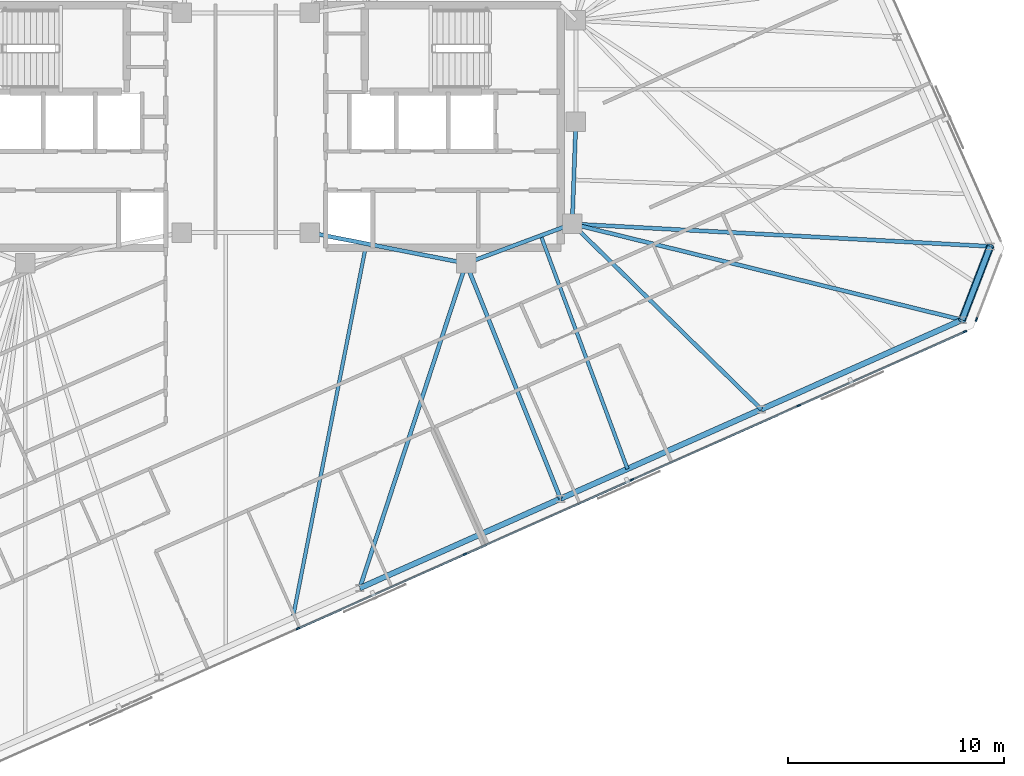
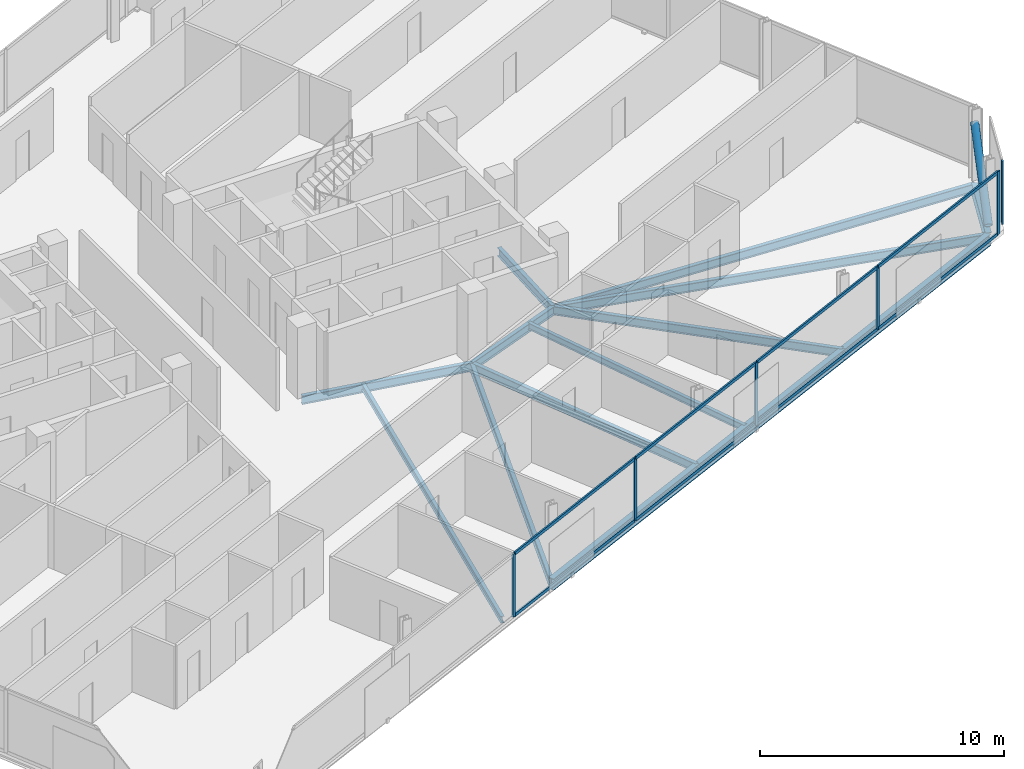
# One storey, part 7 of 19: 15 members, 14 beams, 2 elements without a shape of their own.
"""IFC4 building model written with IfcOpenShell, lengths in metres."""

from ifc_helpers import new_model, si_unit, direction, frame, origin, origin_2d, place, context, subcontext, project, spatial, rectangle, hollow_circle, i_section, extrude, material, material_profile, profile_set, type_object, element, aggregate, save


model = new_model("IFC4")

# Units and contexts
model_context = context("Model", 3, precision=1e-05, world=origin(), true_north=direction((0.0, 1.0)))
body_context = subcontext(model_context, "Body", "Model", "MODEL_VIEW")
ifc_project = project(units=[si_unit("LENGTHUNIT", "METRE"), si_unit("AREAUNIT", "SQUARE_METRE"), si_unit("VOLUMEUNIT", "CUBIC_METRE"), si_unit("PLANEANGLEUNIT", "RADIAN"), si_unit("MASSUNIT", "GRAM", prefix="KILO")], contexts=[model_context])

# Site, building, storey
site_placement = place(None, origin())
site = spatial("IfcSite", under=ifc_project, at=site_placement, CompositionType="ELEMENT")
building_placement = place(site_placement, origin())
building = spatial("IfcBuilding", under=site, at=building_placement, Name="Menara Jurai Vektor", CompositionType="ELEMENT")
storey_placement = place(building_placement, frame((0.0, 0.0, 302.0)))
storey = spatial("IfcBuildingStorey", under=building, at=storey_placement, Name="L81", CompositionType="ELEMENT", Elevation=302.0)

# Curtain wall, members
ifc_material_1 = material(Name="Anodised Pale Aluminium & Low-E Double Glazing", Category="aluminium")
curtain_wall_type = type_object("IfcCurtainWallType", Name="CW-BLK5", PredefinedType="NOTDEFINED", material=ifc_material_1)
curtain_wall_1_placement = place(storey_placement, origin())
curtain_wall_1 = element("IfcCurtainWall", 1, at=curtain_wall_1_placement, inside=storey, type_object=curtain_wall_type, Name="Unitised Curtain Wall L81 F01", PredefinedType="NOTDEFINED")
ifc_material_2 = material(Name="Anodised Pale Aluminium Mullion", Category="aluminium")
ifc_material_profile_1 = material_profile(ifc_material_2, rectangle(XDim=0.074951171875, YDim=0.175048828125, at=origin_2d()), Name="ALU MUL 75x175")
ifc_profile_set_1 = profile_set([ifc_material_profile_1], Name="Anodised Pale Aluminium Mullion")
member_type_1 = type_object("IfcMemberType", Name="CW-BLK5-MUL", PredefinedType="MULLION", material=ifc_profile_set_1)
member_1_placement = place(storey_placement, frame((2.417724609375, -23.190185546875, 0.0), z_axis=(0.0, 0.0, 1.0), x_axis=(-0.406735498684, 0.913545967158, 0.0)))
member_1 = element("IfcMember", 2, at=member_1_placement, type_object=member_type_1, Name="CW-05 mullion 3", PredefinedType="MULLION", context=body_context, shape_type="SweptSolid", body=[
    extrude(rectangle(XDim=0.074951171875, YDim=0.175048828125, at=origin_2d()), origin(), (0.0, 0.0, 1.0), 3.14501953125),
])
member_2_placement = place(storey_placement, frame((10.1279296875, -19.75732421875, 0.0), z_axis=(0.0, 0.0, 1.0), x_axis=(-0.406735498684, 0.913545967158, 0.0)))
member_2 = element("IfcMember", 3, at=member_2_placement, type_object=member_type_1, Name="CW-05 mullion 4", PredefinedType="MULLION", context=body_context, shape_type="SweptSolid", body=[
    extrude(rectangle(XDim=0.074951171875, YDim=0.175048828125, at=origin_2d()), origin(), (0.0, 0.0, 1.0), 3.14501953125),
])
member_3_placement = place(storey_placement, frame((17.83837890625, -16.324462890625, 0.0), z_axis=(0.0, 0.0, 1.0), x_axis=(-0.406735498684, 0.913545967158, 0.0)))
member_3 = element("IfcMember", 4, at=member_3_placement, type_object=member_type_1, Name="CW-05 mullion 5", PredefinedType="MULLION", context=body_context, shape_type="SweptSolid", body=[
    extrude(rectangle(XDim=0.074951171875, YDim=0.175048828125, at=origin_2d()), origin(), (0.0, 0.0, 1.0), 3.14501953125),
])
member_4_placement = place(storey_placement, frame((25.548583984375, -12.8916015625, 0.0), z_axis=(0.0, 0.0, 1.0), x_axis=(-0.406735498684, 0.913545967158, 0.0)))
member_4 = element("IfcMember", 5, at=member_4_placement, type_object=member_type_1, Name="CW-05 mullion 6", PredefinedType="MULLION", context=body_context, shape_type="SweptSolid", body=[
    extrude(rectangle(XDim=0.074951171875, YDim=0.175048828125, at=origin_2d()), origin(), (0.0, 0.0, 1.0), 3.14501953125),
])
member_5_placement = place(storey_placement, frame((33.224853515625, -9.47412109375, 0.0), z_axis=(0.0, 0.0, 1.0), x_axis=(-0.406735498684, 0.913545967158, 0.0)))
member_5 = element("IfcMember", 6, at=member_5_placement, type_object=member_type_1, Name="CW-05 mullion 7", PredefinedType="MULLION", context=body_context, shape_type="SweptSolid", body=[
    extrude(rectangle(XDim=0.074951171875, YDim=0.175048828125, at=origin_2d()), origin(), (0.0, 0.0, 1.0), 3.14501953125),
])

# Curtain wall, member
curtain_wall_2_placement = place(storey_placement, origin())
curtain_wall_2 = element("IfcCurtainWall", 7, at=curtain_wall_2_placement, inside=storey, type_object=curtain_wall_type, Name="Unitised Curtain Wall L81 F02", PredefinedType="NOTDEFINED")
member_6_placement = place(storey_placement, frame((33.755859375, -8.914306640625, 0.0), z_axis=(0.0, 0.0, 1.0), x_axis=(-0.933578193639, 0.358373766287, 0.0)))
member_6 = element("IfcMember", 8, at=member_6_placement, type_object=member_type_1, Name="CW-05 mullion 1", PredefinedType="MULLION", context=body_context, shape_type="SweptSolid", body=[
    extrude(rectangle(XDim=0.074951171875, YDim=0.175048828125, at=origin_2d()), origin(), (0.0, 0.0, 1.0), 3.14501953125),
])
aggregate(curtain_wall_2, [member_6])

# Member
ifc_material_3 = material(Name="Anodised Pale Aluminium Transom", Category="aluminium")
ifc_material_profile_2 = material_profile(ifc_material_3, rectangle(XDim=0.074951171875, YDim=0.155029296875, at=origin_2d()), Name="ALU TRN 75x155")
ifc_profile_set_2 = profile_set([ifc_material_profile_2], Name="Anodised Pale Aluminium Transom")
member_type_2 = type_object("IfcMemberType", Name="CW-BLK5-TRN", PredefinedType="USERDEFINED", material=ifc_profile_set_2)
member_7_placement = place(storey_placement, frame((2.451904296875, -23.175048828125, 0.03759765625), z_axis=(0.913546575494, 0.406734132331, 0.0), x_axis=(-0.406734132331, 0.913546575494, 0.0)))
member_7 = element("IfcMember", 9, at=member_7_placement, type_object=member_type_2, Name="CW-05 transom 3.1", ObjectType="TRANSOM", PredefinedType="USERDEFINED", context=body_context, shape_type="SweptSolid", body=[
    extrude(rectangle(XDim=0.074951171875, YDim=0.155029296875, at=origin_2d()), origin(), (0.0, 0.0, 1.0), 8.364990234375),
])

member_8_placement = place(storey_placement, frame((2.451904296875, -23.175048828125, 3.107421875), z_axis=(0.913546575494, 0.406734132331, 0.0), x_axis=(-0.406734132331, 0.913546575494, 0.0)))
member_8 = element("IfcMember", 10, at=member_8_placement, type_object=member_type_2, Name="CW-05 transom 3.2", ObjectType="TRANSOM", PredefinedType="USERDEFINED", context=body_context, shape_type="SweptSolid", body=[
    extrude(rectangle(XDim=0.074951171875, YDim=0.155029296875, at=origin_2d()), origin(), (0.0, 0.0, 1.0), 8.364990234375),
])

member_9_placement = place(storey_placement, frame((10.162353515625, -19.7421875, 0.03759765625), z_axis=(0.913541747007, 0.406744977198, 0.0), x_axis=(-0.406744977198, 0.913541747007, 0.0)))
member_9 = element("IfcMember", 11, at=member_9_placement, type_object=member_type_2, Name="CW-05 transom 4.1", ObjectType="TRANSOM", PredefinedType="USERDEFINED", context=body_context, shape_type="SweptSolid", body=[
    extrude(rectangle(XDim=0.074951171875, YDim=0.155029296875, at=origin_2d()), origin(), (0.0, 0.0, 1.0), 8.36474609375),
])

member_10_placement = place(storey_placement, frame((10.162353515625, -19.7421875, 3.107421875), z_axis=(0.913541747007, 0.406744977198, 0.0), x_axis=(-0.406744977198, 0.913541747007, 0.0)))
member_10 = element("IfcMember", 12, at=member_10_placement, type_object=member_type_2, Name="CW-05 transom 4.2", ObjectType="TRANSOM", PredefinedType="USERDEFINED", context=body_context, shape_type="SweptSolid", body=[
    extrude(rectangle(XDim=0.074951171875, YDim=0.155029296875, at=origin_2d()), origin(), (0.0, 0.0, 1.0), 8.36474609375),
])

member_11_placement = place(storey_placement, frame((17.87255859375, -16.309326171875, 0.03759765625), z_axis=(0.913546575494, 0.406734132331, 0.0), x_axis=(-0.406734132331, 0.913546575494, 0.0)))
member_11 = element("IfcMember", 13, at=member_11_placement, type_object=member_type_2, Name="CW-05 transom 5.1", ObjectType="TRANSOM", PredefinedType="USERDEFINED", context=body_context, shape_type="SweptSolid", body=[
    extrude(rectangle(XDim=0.074951171875, YDim=0.155029296875, at=origin_2d()), origin(), (0.0, 0.0, 1.0), 8.364990234375),
])

member_12_placement = place(storey_placement, frame((17.87255859375, -16.309326171875, 3.107421875), z_axis=(0.913546575494, 0.406734132331, 0.0), x_axis=(-0.406734132331, 0.913546575494, 0.0)))
member_12 = element("IfcMember", 14, at=member_12_placement, type_object=member_type_2, Name="CW-05 transom 5.2", ObjectType="TRANSOM", PredefinedType="USERDEFINED", context=body_context, shape_type="SweptSolid", body=[
    extrude(rectangle(XDim=0.074951171875, YDim=0.155029296875, at=origin_2d()), origin(), (0.0, 0.0, 1.0), 8.364990234375),
])

member_13_placement = place(storey_placement, frame((25.5830078125, -12.87646484375, 0.03759765625), z_axis=(0.91353811338, 0.406753138159, 0.0), x_axis=(-0.406753138159, 0.91353811338, 0.0)))
member_13 = element("IfcMember", 15, at=member_13_placement, type_object=member_type_2, Name="CW-05 transom 6.1", ObjectType="TRANSOM", PredefinedType="USERDEFINED", context=body_context, shape_type="SweptSolid", body=[
    extrude(rectangle(XDim=0.074951171875, YDim=0.155029296875, at=origin_2d()), origin(), (0.0, 0.0, 1.0), 8.327392578125),
])

member_14_placement = place(storey_placement, frame((25.5830078125, -12.87646484375, 3.107421875), z_axis=(0.91353811338, 0.406753138159, 0.0), x_axis=(-0.406753138159, 0.91353811338, 0.0)))
member_14 = element("IfcMember", 16, at=member_14_placement, type_object=member_type_2, Name="CW-05 transom 6.2", ObjectType="TRANSOM", PredefinedType="USERDEFINED", context=body_context, shape_type="SweptSolid", body=[
    extrude(rectangle(XDim=0.074951171875, YDim=0.155029296875, at=origin_2d()), origin(), (0.0, 0.0, 1.0), 8.327392578125),
])

aggregate(curtain_wall_1, [member_1, member_2, member_3, member_4, member_5, member_7, member_8, member_9, member_10, member_11, member_12, member_13, member_14])

# Beams
ifc_material_4 = material(Name="Steel S355", Category="steel")
ifc_material_profile_3 = material_profile(ifc_material_4, i_section(OverallWidth=0.18505859375, OverallDepth=0.429931640625, WebThickness=0.010986328125, FlangeThickness=0.01806640625, at=origin_2d()), Name="PG 430x185x76")
ifc_profile_set_3 = profile_set([ifc_material_profile_3], Name="Steel S355")
beam_type_1 = type_object("IfcBeamType", Name="STR-BM-430", PredefinedType="BEAM", material=ifc_profile_set_3)
beam_1_placement = place(storey_placement, frame((15.080078125, -4.5, -0.43994140625), z_axis=(0.035977314146, 0.999352606874, 0.0), x_axis=(-0.999352606874, 0.035977314146, 0.0)))
element("IfcBeam", 17, at=beam_1_placement, inside=storey, type_object=beam_type_1, Name="Core Ring Header Girder L81-CHE-E2", PredefinedType="BEAM", context=body_context, shape_type="SweptSolid", body=[
    extrude(i_section(OverallWidth=0.18505859375, OverallDepth=0.429931640625, WebThickness=0.010986328125, FlangeThickness=0.01806640625, at=origin_2d()), origin(), (0.0, 0.0, 1.0), 4.72314453125),
])
beam_2_placement = place(storey_placement, frame((10.179931640625, -6.320068359375, -0.43994140625), z_axis=(0.937424400887, 0.348188874925, 0.0), x_axis=(-0.348188874925, 0.937424400887, 0.0)))
element("IfcBeam", 18, at=beam_2_placement, inside=storey, type_object=beam_type_1, Name="Core Ring Header Girder L81-CHE-S1", PredefinedType="BEAM", context=body_context, shape_type="SweptSolid", body=[
    extrude(i_section(OverallWidth=0.18505859375, OverallDepth=0.429931640625, WebThickness=0.010986328125, FlangeThickness=0.01806640625, at=origin_2d()), origin(), (0.0, 0.0, 1.0), 5.227294921875),
])
beam_3_placement = place(storey_placement, frame((2.949951171875, -4.89990234375, -0.43994140625), z_axis=(0.981249044334, -0.192744164614, 0.0), x_axis=(0.192744164614, 0.981249044334, 0.0)))
element("IfcBeam", 19, at=beam_3_placement, inside=storey, type_object=beam_type_1, Name="Core Ring Header Girder L81-CHE-S2", PredefinedType="BEAM", context=body_context, shape_type="SweptSolid", body=[
    extrude(i_section(OverallWidth=0.18505859375, OverallDepth=0.429931640625, WebThickness=0.010986328125, FlangeThickness=0.01806640625, at=origin_2d()), origin(), (0.0, 0.0, 1.0), 7.3681640625),
])
beam_4_placement = place(storey_placement, frame((5.267578125, -21.3193359375, -0.43994140625), z_axis=(0.311239486704, 0.950331511587, 0.0), x_axis=(-0.950331511587, 0.311239486704, 0.0)))
element("IfcBeam", 20, at=beam_4_placement, inside=storey, type_object=beam_type_1, Name="Radial Floor Girder L81-S3", PredefinedType="BEAM", context=body_context, shape_type="SweptSolid", body=[
    extrude(i_section(OverallWidth=0.18505859375, OverallDepth=0.429931640625, WebThickness=0.010986328125, FlangeThickness=0.01806640625, at=origin_2d()), origin(), (0.0, 0.0, 1.0), 15.783203125),
])
beam_5_placement = place(storey_placement, frame((14.541015625, -17.1904296875, -0.43994140625), z_axis=(-0.372342852726, 0.928095253745, 0.0), x_axis=(-0.928095253745, -0.372342852726, 0.0)))
element("IfcBeam", 21, at=beam_5_placement, inside=storey, type_object=beam_type_1, Name="Radial Floor Girder L81-S4", PredefinedType="BEAM", context=body_context, shape_type="SweptSolid", body=[
    extrude(i_section(OverallWidth=0.18505859375, OverallDepth=0.429931640625, WebThickness=0.010986328125, FlangeThickness=0.01806640625, at=origin_2d()), origin(), (0.0, 0.0, 1.0), 11.712646484375),
])
beam_6_placement = place(storey_placement, frame((23.814697265625, -13.061767578125, -0.43994140625), z_axis=(-0.714137598149, 0.70000535063, 0.0), x_axis=(-0.70000535063, -0.714137598149, 0.0)))
element("IfcBeam", 22, at=beam_6_placement, inside=storey, type_object=beam_type_1, Name="Radial Floor Girder L81-S5", PredefinedType="BEAM", context=body_context, shape_type="SweptSolid", body=[
    extrude(i_section(OverallWidth=0.18505859375, OverallDepth=0.429931640625, WebThickness=0.010986328125, FlangeThickness=0.01806640625, at=origin_2d()), origin(), (0.0, 0.0, 1.0), 12.23095703125),
])
beam_7_placement = place(storey_placement, frame((33.088134765625, -8.932861328125, -0.43994140625), z_axis=(-0.971013515776, 0.239024584888, 0.0), x_axis=(-0.239024584888, -0.971013515776, 0.0)))
element("IfcBeam", 23, at=beam_7_placement, inside=storey, type_object=beam_type_1, Name="Radial Floor Girder L81-S6", PredefinedType="BEAM", context=body_context, shape_type="SweptSolid", body=[
    extrude(i_section(OverallWidth=0.18505859375, OverallDepth=0.429931640625, WebThickness=0.010986328125, FlangeThickness=0.01806640625, at=origin_2d()), origin(), (0.0, 0.0, 1.0), 18.545654296875),
])
beam_8_placement = place(storey_placement, frame((34.3916015625, -5.536865234375, -0.43994140625), z_axis=(-0.998561718759, 0.053614306189, 0.0), x_axis=(-0.053614306189, -0.998561718759, 0.0)))
element("IfcBeam", 24, at=beam_8_placement, inside=storey, type_object=beam_type_1, Name="Radial Floor Girder L81-E1", PredefinedType="BEAM", context=body_context, shape_type="SweptSolid", body=[
    extrude(i_section(OverallWidth=0.18505859375, OverallDepth=0.429931640625, WebThickness=0.010986328125, FlangeThickness=0.01806640625, at=origin_2d()), origin(), (0.0, 0.0, 1.0), 19.33935546875),
])

# Member
ifc_material_5 = material(Name="Steel S460", Category="steel")
ifc_material_profile_4 = material_profile(ifc_material_5, hollow_circle(Radius=0.177734375, WallThickness=0.01611328125, at=origin_2d()), Name="CHS 355.6x16")
ifc_profile_set_4 = profile_set([ifc_material_profile_4], Name="Steel S460")
member_type_3 = type_object("IfcMemberType", Name="STR-BR-356", PredefinedType="BRACE", material=ifc_profile_set_4)
member_15_placement = place(storey_placement, frame((33.088134765625, -8.932861328125, 0.14990234375), z_axis=(0.289817167201, 0.755077129754, 0.588102489127), x_axis=(-0.933592747566, 0.358335850414, 0.0)))
element("IfcMember", 25, at=member_15_placement, inside=storey, type_object=member_type_3, Name="Exoskeleton Corner Brace L81-1", PredefinedType="BRACE", context=body_context, shape_type="SweptSolid", body=[
    extrude(hollow_circle(Radius=0.177734375, WallThickness=0.01611328125, at=origin_2d()), origin(), (0.0, 0.0, 1.0), 4.49755859375),
])

# Beams
ifc_material_profile_5 = material_profile(ifc_material_4, i_section(OverallWidth=0.1650390625, OverallDepth=0.330078125, WebThickness=0.009033203125, FlangeThickness=0.013916015625, at=origin_2d()), Name="PG 330x165x46")
ifc_profile_set_5 = profile_set([ifc_material_profile_5], Name="Steel S355")
beam_type_2 = type_object("IfcBeamType", Name="STR-JS-330", PredefinedType="JOIST", material=ifc_profile_set_5)
beam_9_placement = place(storey_placement, frame((2.176513671875, -22.695556640625, -0.389892578125), z_axis=(0.192710503651, 0.981255655669, 0.0), x_axis=(-0.981255655669, 0.192710503651, 0.0)))
element("IfcBeam", 26, at=beam_9_placement, inside=storey, type_object=beam_type_2, Name="Radial Secondary Floor Joist L81-JS04", PredefinedType="JOIST", context=body_context, shape_type="SweptSolid", body=[
    extrude(i_section(OverallWidth=0.1650390625, OverallDepth=0.330078125, WebThickness=0.009033203125, FlangeThickness=0.013916015625, at=origin_2d()), origin(), (0.0, 0.0, 1.0), 17.61083984375),
])
beam_10_placement = place(storey_placement, frame((17.632080078125, -15.814208984375, -0.389892578125), z_axis=(-0.348172664726, 0.937430421705, 0.0), x_axis=(-0.937430421705, -0.348172664726, 0.0)))
element("IfcBeam", 27, at=beam_10_placement, inside=storey, type_object=beam_type_2, Name="Radial Secondary Floor Joist L81-JS05", PredefinedType="JOIST", context=body_context, shape_type="SweptSolid", body=[
    extrude(i_section(OverallWidth=0.1650390625, OverallDepth=0.330078125, WebThickness=0.009033203125, FlangeThickness=0.013916015625, at=origin_2d()), origin(), (0.0, 0.0, 1.0), 11.494873046875),
])
ifc_material_profile_6 = material_profile(ifc_material_4, i_section(OverallWidth=0.260009765625, OverallDepth=0.570068359375, WebThickness=0.013916015625, FlangeThickness=0.02392578125, at=origin_2d()), Name="PG 570x260x145")
ifc_profile_set_6 = profile_set([ifc_material_profile_6], Name="Steel S355")
beam_type_3 = type_object("IfcBeamType", Name="STR-SP-570", PredefinedType="SPANDREL", material=ifc_profile_set_6)
for number, where, z_axis, x_axis, name in (
    (28, (5.267578125, -21.3193359375, -0.510009765625), (0.913541582548, 0.406745346568, 0.0), (-0.406745346568, 0.913541582548, 0.0), "Exoskeleton Spandrel Beam L81-03"),
    (29, (14.541015625, -17.1904296875, -0.510009765625), (0.913554497648, 0.406716338284, 0.0), (-0.406716338284, 0.913554497648, 0.0), "Exoskeleton Spandrel Beam L81-04"),
    (30, (23.814697265625, -13.061767578125, -0.510009765625), (0.913541582548, 0.406745346568, 0.0), (-0.406745346568, 0.913541582548, 0.0), "Exoskeleton Spandrel Beam L81-05"),
):
    element("IfcBeam", number, at=place(storey_placement, frame(where, z_axis=z_axis, x_axis=x_axis)), inside=storey, type_object=beam_type_3, Name=name, PredefinedType="SPANDREL", context=body_context, shape_type="SweptSolid", body=[
        extrude(i_section(OverallWidth=0.260009765625, OverallDepth=0.570068359375, WebThickness=0.013916015625, FlangeThickness=0.02392578125, at=origin_2d()), origin(), (0.0, 0.0, 1.0), 10.151123046875),
    ])
beam_11_placement = place(storey_placement, frame((33.088134765625, -8.932861328125, -0.510009765625), z_axis=(0.358335850414, 0.933592747566, 0.0), x_axis=(-0.933592747566, 0.358335850414, 0.0)))
element("IfcBeam", 31, at=beam_11_placement, inside=storey, type_object=beam_type_3, Name="Exoskeleton Spandrel Beam L81-06", PredefinedType="SPANDREL", context=body_context, shape_type="SweptSolid", body=[
    extrude(i_section(OverallWidth=0.260009765625, OverallDepth=0.570068359375, WebThickness=0.013916015625, FlangeThickness=0.02392578125, at=origin_2d()), origin(), (0.0, 0.0, 1.0), 3.637451171875),
])

save(model, "model.ifc")
